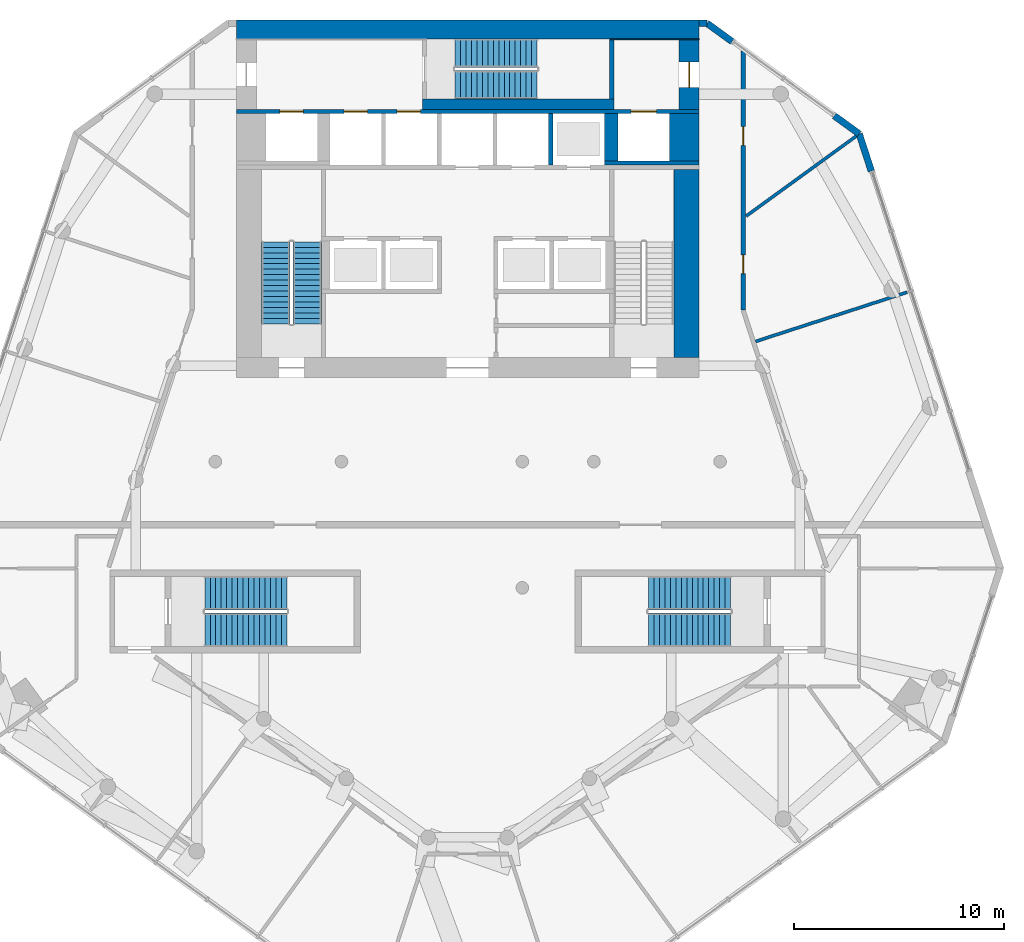
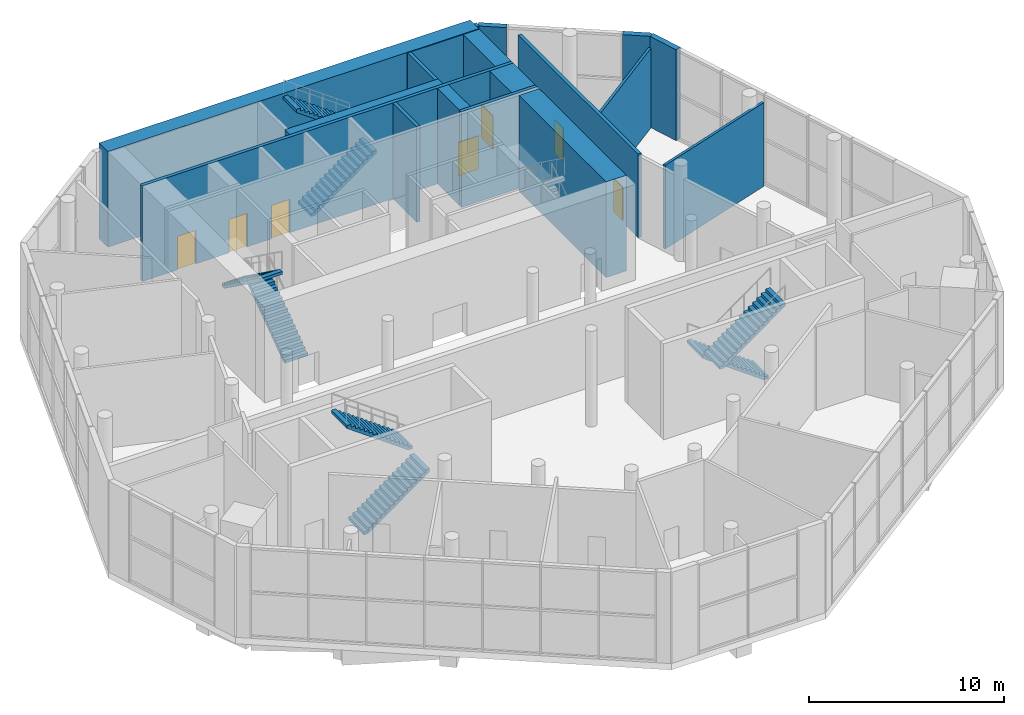
# One storey, part 10 of 14: 18 walls, 8 stair flights, 7 doors, 7 openings, 4 elements without a shape of their own.
"""IFC4 building model written with IfcOpenShell, lengths in metres."""

from ifc_helpers import new_model, si_unit, direction, frame, frame_2d, origin, place, context, subcontext, project, spatial, polyline, rectangle, outline, extrude, material, layer, layer_set, type_object, element, fill, aggregate, save


model = new_model("IFC4")

# Units and contexts
model_context = context("Model", 3, precision=1e-05, world=origin(), true_north=direction((0.0, 1.0)))
body_context = subcontext(model_context, "Body", "Model", "MODEL_VIEW")
ifc_project = project(units=[si_unit("LENGTHUNIT", "METRE"), si_unit("AREAUNIT", "SQUARE_METRE"), si_unit("VOLUMEUNIT", "CUBIC_METRE"), si_unit("PLANEANGLEUNIT", "RADIAN"), si_unit("MASSUNIT", "GRAM", prefix="KILO")], contexts=[model_context])

# Site, building, storey
site_placement = place(None, origin())
site = spatial("IfcSite", under=ifc_project, at=site_placement, CompositionType="ELEMENT")
building_placement = place(site_placement, origin())
building = spatial("IfcBuilding", under=site, at=building_placement, Name="White Candle Pilgrim Tower", CompositionType="ELEMENT")
storey_placement = place(building_placement, frame((0.0, 0.0, 142.60009765625)))
storey = spatial("IfcBuildingStorey", under=building, at=storey_placement, Name="L32", CompositionType="ELEMENT", Elevation=142.60009765625)

# Walls
ifc_material_1 = material(Name="Concrete C60/75", Category="concrete")
ifc_layer_1 = layer(ifc_material_1, 1.39990234375)
ifc_layer_set_1 = layer_set([ifc_layer_1], Name="Core wall 1400 mm Concrete C60/75")
wall_type_1 = type_object("IfcWallType", Name="Core wall 1400 mm Concrete C60/75", PredefinedType="SHEAR", material=ifc_layer_set_1)
wall_1_placement = place(storey_placement, frame((80.300048828125, 81.300048828125, 0.0), z_axis=(0.0, 0.0, 1.0), x_axis=(0.0, 1.0, 0.0)))
element("IfcWall", 1, at=wall_1_placement, inside=storey, type_object=wall_type_1, Name="WL-L32-C42", PredefinedType="SHEAR", context=body_context, shape_type="SweptSolid", body=[
    extrude(rectangle(XDim=2.25, YDim=1.39990234375, at=frame_2d((1.125, 0.0))), origin(), (0.0, 0.0, 1.0), 6.0),
])
ifc_layer_2 = layer(ifc_material_1, 0.199951171875)
ifc_layer_set_2 = layer_set([ifc_layer_2], Name="Core wall 200 mm Concrete C60/75")
wall_type_2 = type_object("IfcWallType", Name="Core wall 200 mm Concrete C60/75", PredefinedType="SHEAR", material=ifc_layer_set_2)
wall_2_placement = place(storey_placement, frame((76.5, 81.199951171875, 0.0), z_axis=(0.0, 0.0, 1.0), x_axis=(1.0, 0.0, 0.0)))
element("IfcWall", 2, at=wall_2_placement, inside=storey, type_object=wall_type_2, Name="WL-L32-C38", PredefinedType="SHEAR", context=body_context, shape_type="SweptSolid", body=[
    extrude(rectangle(XDim=4.5, YDim=0.199951171875, at=frame_2d((2.25, 0.0))), origin(), (0.0, 0.0, 1.0), 6.0),
])

# Wall, openings, doors
wall_3_placement = place(storey_placement, frame((59.0, 83.64990234375, 0.0), z_axis=(0.0, 0.0, 1.0), x_axis=(1.0, 0.0, 0.0)))
wall_3 = element("IfcWall", 3, at=wall_3_placement, inside=storey, type_object=wall_type_2, Name="WL-L32-C43", PredefinedType="SHEAR", context=body_context, shape_type="SweptSolid", body=[
    extrude(rectangle(XDim=22.0, YDim=0.199951171875, at=frame_2d((11.0, 0.0))), origin(), (0.0, 0.0, 1.0), 6.0),
])
opening_1_placement = place(wall_3_placement, frame((5.125, 0.0, 0.0)))
opening_1 = element("IfcOpeningElement", 4, at=opening_1_placement, cuts=wall_3, Name="Opening L32-017", PredefinedType="OPENING", context=body_context, shape_type="SweptSolid", body=[
    extrude(rectangle(XDim=1.10009765625, YDim=2.10009765625, at=frame_2d((0.550048828125, 1.050048828125))), frame((0.0, 0.10986328125, 0.0), z_axis=(0.0, -1.0, 0.0), x_axis=(1.0, 0.0, 0.0)), (0.0, 0.0, 1.0), 0.219970703125),
])
opening_2_placement = place(wall_3_placement, frame((7.64990234375, 0.0, 0.0)))
opening_2 = element("IfcOpeningElement", 5, at=opening_2_placement, cuts=wall_3, Name="Opening L32-018", PredefinedType="OPENING", context=body_context, shape_type="SweptSolid", body=[
    extrude(rectangle(XDim=1.10009765625, YDim=2.10009765625, at=frame_2d((0.550048828125, 1.050048828125))), frame((0.0, 0.10986328125, 0.0), z_axis=(0.0, -1.0, 0.0), x_axis=(1.0, 0.0, 0.0)), (0.0, 0.0, 1.0), 0.219970703125),
])
opening_3_placement = place(wall_3_placement, frame((18.77490234375, 0.0, 0.0)))
opening_3 = element("IfcOpeningElement", 6, at=opening_3_placement, cuts=wall_3, Name="Opening L32-022", PredefinedType="OPENING", context=body_context, shape_type="SweptSolid", body=[
    extrude(rectangle(XDim=1.199951171875, YDim=2.10009765625, at=frame_2d((0.60009765625, 1.050048828125))), frame((0.0, 0.10986328125, 0.0), z_axis=(0.0, -1.0, 0.0), x_axis=(1.0, 0.0, 0.0)), (0.0, 0.0, 1.0), 0.219970703125),
])
opening_4_placement = place(wall_3_placement, frame((2.074951171875, 0.0, 0.0)))
opening_4 = element("IfcOpeningElement", 7, at=opening_4_placement, cuts=wall_3, Name="Opening L32-023", PredefinedType="OPENING", context=body_context, shape_type="SweptSolid", body=[
    extrude(rectangle(XDim=1.10009765625, YDim=2.10009765625, at=frame_2d((0.550048828125, 1.050048828125))), frame((0.0, 0.10986328125, 0.0), z_axis=(0.0, -1.0, 0.0), x_axis=(1.0, 0.0, 0.0)), (0.0, 0.0, 1.0), 0.219970703125),
])
ifc_material_2 = material(Name="Stainless steel", Category="steel")
door_type_1 = type_object("IfcDoorType", Name="Lift landing door 1100 x 2100 EI 60", OperationType="DOUBLE_DOOR_SLIDING", PredefinedType="DOOR", material=ifc_material_2)
door_1_placement = place(opening_1_placement, origin())
door_1 = element("IfcDoor", 8, at=door_1_placement, inside=storey, type_object=door_type_1, Name="Door L32-017", OperationType="DOUBLE_DOOR_SLIDING", OverallHeight=2.10009765625, OverallWidth=1.10009765625, PredefinedType="DOOR", context=body_context, shape_type="SweptSolid", body=[
    extrude(rectangle(XDim=1.10009765625, YDim=2.10009765625, at=frame_2d((0.550048828125, 1.050048828125))), frame((0.0, 0.02490234375, 0.0), z_axis=(0.0, -1.0, 0.0), x_axis=(1.0, 0.0, 0.0)), (0.0, 0.0, 1.0), 0.050048828125),
])
fill(opening_1, door_1)
door_2_placement = place(opening_2_placement, origin())
door_2 = element("IfcDoor", 9, at=door_2_placement, inside=storey, type_object=door_type_1, Name="Door L32-018", OperationType="DOUBLE_DOOR_SLIDING", OverallHeight=2.10009765625, OverallWidth=1.10009765625, PredefinedType="DOOR", context=body_context, shape_type="SweptSolid", body=[
    extrude(rectangle(XDim=1.10009765625, YDim=2.10009765625, at=frame_2d((0.550048828125, 1.050048828125))), frame((0.0, 0.02490234375, 0.0), z_axis=(0.0, -1.0, 0.0), x_axis=(1.0, 0.0, 0.0)), (0.0, 0.0, 1.0), 0.050048828125),
])
fill(opening_2, door_2)
door_3_placement = place(opening_4_placement, origin())
door_3 = element("IfcDoor", 10, at=door_3_placement, inside=storey, type_object=door_type_1, Name="Door L32-023", OperationType="DOUBLE_DOOR_SLIDING", OverallHeight=2.10009765625, OverallWidth=1.10009765625, PredefinedType="DOOR", context=body_context, shape_type="SweptSolid", body=[
    extrude(rectangle(XDim=1.10009765625, YDim=2.10009765625, at=frame_2d((0.550048828125, 1.050048828125))), frame((0.0, 0.02490234375, 0.0), z_axis=(0.0, -1.0, 0.0), x_axis=(1.0, 0.0, 0.0)), (0.0, 0.0, 1.0), 0.050048828125),
])
fill(opening_4, door_3)
door_type_2 = type_object("IfcDoorType", Name="Lift landing door 1200 x 2100 E 60", OperationType="DOUBLE_DOOR_SLIDING", PredefinedType="DOOR", material=ifc_material_2)
door_4_placement = place(opening_3_placement, origin())
door_4 = element("IfcDoor", 11, at=door_4_placement, inside=storey, type_object=door_type_2, Name="Door L32-022", OperationType="DOUBLE_DOOR_SLIDING", OverallHeight=2.10009765625, OverallWidth=1.199951171875, PredefinedType="DOOR", context=body_context, shape_type="SweptSolid", body=[
    extrude(rectangle(XDim=1.199951171875, YDim=2.10009765625, at=frame_2d((0.60009765625, 1.050048828125))), frame((0.0, 0.02490234375, 0.0), z_axis=(0.0, -1.0, 0.0), x_axis=(1.0, 0.0, 0.0)), (0.0, 0.0, 1.0), 0.050048828125),
])
fill(opening_3, door_4)

# Wall, opening, door
ifc_layer_3 = layer(ifc_material_1, 0.949951171875)
ifc_layer_set_3 = layer_set([ifc_layer_3], Name="Core wall 950 mm Concrete C60/75")
wall_type_3 = type_object("IfcWallType", Name="Core wall 950 mm Concrete C60/75", PredefinedType="SHEAR", material=ifc_layer_set_3)
wall_4_placement = place(storey_placement, frame((80.52490234375, 83.75, 0.0), z_axis=(0.0, 0.0, 1.0), x_axis=(0.0, 1.0, 0.0)))
wall_4 = element("IfcWall", 12, at=wall_4_placement, inside=storey, type_object=wall_type_3, Name="WL-L32-C46", PredefinedType="SHEAR", context=body_context, shape_type="SweptSolid", body=[
    extrude(rectangle(XDim=3.300048828125, YDim=0.949951171875, at=frame_2d((1.64990234375, 0.0))), origin(), (0.0, 0.0, 1.0), 6.0),
])
opening_5_placement = place(wall_4_placement, frame((1.050048828125, 0.0, 0.0)))
opening_5 = element("IfcOpeningElement", 13, at=opening_5_placement, cuts=wall_4, Name="Opening L32-008", PredefinedType="OPENING", context=body_context, shape_type="SweptSolid", body=[
    extrude(rectangle(XDim=1.199951171875, YDim=2.10009765625, at=frame_2d((0.60009765625, 1.050048828125))), frame((0.0, 0.48486328125, 0.0), z_axis=(0.0, -1.0, 0.0), x_axis=(1.0, 0.0, 0.0)), (0.0, 0.0, 1.0), 0.969970703125),
])
ifc_material_3 = material(Name="Steel door leaf", Category="steel")
door_type_3 = type_object("IfcDoorType", Name="Fire door 1200 x 2100 EI 30", OperationType="NOTDEFINED", PredefinedType="DOOR", material=ifc_material_3)
door_5_placement = place(opening_5_placement, origin())
door_5 = element("IfcDoor", 14, at=door_5_placement, inside=storey, type_object=door_type_3, Name="Door L32-008", OperationType="SINGLE_SWING_RIGHT", OverallHeight=2.10009765625, OverallWidth=1.199951171875, PredefinedType="DOOR", context=body_context, shape_type="SweptSolid", body=[
    extrude(rectangle(XDim=1.199951171875, YDim=2.10009765625, at=frame_2d((0.60009765625, 1.050048828125))), frame((0.0, 0.02490234375, 0.0), z_axis=(0.0, -1.0, 0.0), x_axis=(1.0, 0.0, 0.0)), (0.0, 0.0, 1.0), 0.050048828125),
])
fill(opening_5, door_5)

# Wall, openings, doors
ifc_material_4 = material(Name="Gypsum board on steel studs", Category="steel")
ifc_layer_4 = layer(ifc_material_4, 0.199951171875)
ifc_layer_set_4 = layer_set([ifc_layer_4], Name="Corridor wall 200 mm EI 45")
wall_type_4 = type_object("IfcWallType", Name="Corridor wall 200 mm EI 45", PredefinedType="PARTITIONING", material=ifc_layer_set_4)
wall_5_placement = place(storey_placement, frame((83.10009765625, 86.537109375, 0.0), z_axis=(0.0, 0.0, 1.0), x_axis=(0.0, -1.0, 0.0)))
wall_5 = element("IfcWall", 15, at=wall_5_placement, inside=storey, type_object=wall_type_4, Name="WL-L32-P003", PredefinedType="PARTITIONING", context=body_context, shape_type="SweptSolid", body=[
    extrude(rectangle(XDim=12.319091796875, YDim=0.199951171875, at=frame_2d((6.15966796875, 0.0))), origin(), (0.0, 0.0, 1.0), 5.25),
])
opening_6_placement = place(wall_5_placement, frame((9.69970703125, 0.0, 0.0)))
opening_6 = element("IfcOpeningElement", 16, at=opening_6_placement, cuts=wall_5, Name="Opening L32-112", PredefinedType="OPENING", context=body_context, shape_type="SweptSolid", body=[
    extrude(rectangle(XDim=0.89990234375, YDim=2.10009765625, at=frame_2d((0.449951171875, 1.050048828125))), frame((0.0, 0.10986328125, 0.0), z_axis=(0.0, -1.0, 0.0), x_axis=(1.0, 0.0, 0.0)), (0.0, 0.0, 1.0), 0.219970703125),
])
opening_7_placement = place(wall_5_placement, frame((3.602783203125, 0.0, 0.0)))
opening_7 = element("IfcOpeningElement", 17, at=opening_7_placement, cuts=wall_5, Name="Opening L32-113", PredefinedType="OPENING", context=body_context, shape_type="SweptSolid", body=[
    extrude(rectangle(XDim=0.89990234375, YDim=2.10009765625, at=frame_2d((0.449951171875, 1.050048828125))), frame((0.0, 0.10986328125, 0.0), z_axis=(0.0, -1.0, 0.0), x_axis=(1.0, 0.0, 0.0)), (0.0, 0.0, 1.0), 0.219970703125),
])
door_type_4 = type_object("IfcDoorType", Name="Fire door 900 x 2100 EI 30", OperationType="NOTDEFINED", PredefinedType="DOOR", material=ifc_material_3)
door_6_placement = place(opening_6_placement, origin())
door_6 = element("IfcDoor", 18, at=door_6_placement, inside=storey, type_object=door_type_4, Name="Door L32-112", OperationType="SINGLE_SWING_RIGHT", OverallHeight=2.10009765625, OverallWidth=0.89990234375, PredefinedType="DOOR", context=body_context, shape_type="SweptSolid", body=[
    extrude(rectangle(XDim=0.89990234375, YDim=2.10009765625, at=frame_2d((0.449951171875, 1.050048828125))), frame((0.0, 0.02490234375, 0.0), z_axis=(0.0, -1.0, 0.0), x_axis=(1.0, 0.0, 0.0)), (0.0, 0.0, 1.0), 0.050048828125),
])
fill(opening_6, door_6)
door_7_placement = place(opening_7_placement, origin())
door_7 = element("IfcDoor", 19, at=door_7_placement, inside=storey, type_object=door_type_4, Name="Door L32-113", OperationType="SINGLE_SWING_LEFT", OverallHeight=2.10009765625, OverallWidth=0.89990234375, PredefinedType="DOOR", context=body_context, shape_type="SweptSolid", body=[
    extrude(rectangle(XDim=0.89990234375, YDim=2.10009765625, at=frame_2d((0.449951171875, 1.050048828125))), frame((0.0, 0.02490234375, 0.0), z_axis=(0.0, -1.0, 0.0), x_axis=(1.0, 0.0, 0.0)), (0.0, 0.0, 1.0), 0.050048828125),
])
fill(opening_7, door_7)

# Walls
ifc_material_5 = material(Name="Precast concrete C40/50", Category="concrete")
ifc_layer_5 = layer(ifc_material_5, 0.320068359375)
ifc_layer_set_5 = layer_set([ifc_layer_5], Name="Facade wall EW1 precast concrete C40/50 pier wall with timber-lined reveals")
wall_type_5 = type_object("IfcWallType", Name="Facade wall EW1 precast concrete C40/50 pier wall with timber-lined reveals", PredefinedType="SOLIDWALL", material=ifc_layer_set_5)
wall_6_placement = place(storey_placement, frame((89.19580078125, 80.812255859375, 0.0), z_axis=(0.0, 0.0, 1.0), x_axis=(-0.309020851273, 0.951055263104, 0.0)))
element("IfcWall", 20, at=wall_6_placement, inside=storey, type_object=wall_type_5, Name="Facade wall L32 ENE", PredefinedType="SOLIDWALL", context=body_context, shape_type="SweptSolid", body=[
    extrude(rectangle(XDim=1.862060546875, YDim=0.320068359375, at=frame_2d((0.93115234375, 0.0))), origin(), (0.0, 0.0, 1.0), 5.699951171875),
])
for number, where, z_axis, x_axis, name in (
    (21, (88.620361328125, 82.583251953125, 0.0), (0.0, 0.0, 1.0), (-0.809044438397, 0.587747476982, 0.0), "Facade wall L32 NE chamfer"),
    (22, (82.57568359375, 86.97509765625, 0.0), (0.0, 0.0, 1.0), (-0.809044438397, 0.587747476982, 0.0), "Facade wall L32 NE chamfer"),
):
    element("IfcWall", number, at=place(storey_placement, frame(where, z_axis=z_axis, x_axis=x_axis)), inside=storey, type_object=wall_type_5, Name=name, PredefinedType="SOLIDWALL", context=body_context, shape_type="SweptSolid", body=[
        extrude(rectangle(XDim=1.4716796875, YDim=0.320068359375, at=frame_2d((0.73583984375, 0.0))), origin(), (0.0, 0.0, 1.0), 5.699951171875),
    ])
wall_7_placement = place(storey_placement, frame((81.385009765625, 87.840087890625, 0.0), z_axis=(0.0, 0.0, 1.0), x_axis=(-1.0, 0.0, 0.0)))
element("IfcWall", 23, at=wall_7_placement, inside=storey, type_object=wall_type_5, Name="Facade wall L32 N", PredefinedType="SOLIDWALL", context=body_context, shape_type="SweptSolid", body=[
    extrude(rectangle(XDim=0.385009765625, YDim=0.320068359375, at=frame_2d((0.1923828125, 0.0))), origin(), (0.0, 0.0, 1.0), 5.699951171875),
])
ifc_layer_6 = layer(ifc_material_4, 0.14990234375)
ifc_layer_set_6 = layer_set([ifc_layer_6], Name="Partition 150 mm EI 60")
wall_type_6 = type_object("IfcWallType", Name="Partition 150 mm EI 60", PredefinedType="PARTITIONING", material=ifc_layer_set_6)
wall_8_placement = place(storey_placement, frame((88.484130859375, 82.484375, 0.0), z_axis=(0.0, 0.0, 1.0), x_axis=(-0.80901309186, -0.587790623606, 0.0)))
element("IfcWall", 24, at=wall_8_placement, inside=storey, type_object=wall_type_6, Name="WL-L32-P018", PredefinedType="PARTITIONING", context=body_context, shape_type="SweptSolid", body=[
    extrude(rectangle(XDim=6.47705078125, YDim=0.14990234375, at=frame_2d((3.238525390625, 0.0))), origin(), (0.0, 0.0, 1.0), 5.0),
])
wall_9_placement = place(storey_placement, frame((90.897705078125, 75.056396484375, 0.0), z_axis=(0.0, 0.0, 1.0), x_axis=(-0.951058681979, -0.309010329007, 0.0)))
element("IfcWall", 25, at=wall_9_placement, inside=storey, type_object=wall_type_6, Name="WL-L32-P025", PredefinedType="PARTITIONING", context=body_context, shape_type="SweptSolid", body=[
    extrude(rectangle(XDim=7.580078125, YDim=0.14990234375, at=frame_2d((3.7900390625, 0.0))), origin(), (0.0, 0.0, 1.0), 5.25),
])
ifc_layer_7 = layer(ifc_material_1, 0.199951171875)
ifc_layer_set_7 = layer_set([ifc_layer_7], Name="Shaft wall 200 mm Concrete C60/75")
wall_type_7 = type_object("IfcWallType", Name="Shaft wall 200 mm Concrete C60/75", PredefinedType="SHEAR", material=ifc_layer_set_7)
wall_10_placement = place(storey_placement, frame((73.949951171875, 81.10009765625, 0.0), z_axis=(0.0, 0.0, 1.0), x_axis=(0.0, 1.0, 0.0)))
element("IfcWall", 26, at=wall_10_placement, inside=storey, type_object=wall_type_7, Name="WL-L32-C37", PredefinedType="SHEAR", context=body_context, shape_type="SweptSolid", body=[
    extrude(rectangle(XDim=2.449951171875, YDim=0.199951171875, at=frame_2d((1.22509765625, 0.0))), origin(), (0.0, 0.0, 1.0), 6.0),
])
ifc_layer_8 = layer(ifc_material_1, 0.64990234375)
ifc_layer_set_8 = layer_set([ifc_layer_8], Name="Shaft wall 650 mm Concrete C60/75")
wall_type_8 = type_object("IfcWallType", Name="Shaft wall 650 mm Concrete C60/75", PredefinedType="SHEAR", material=ifc_layer_set_8)
wall_11_placement = place(storey_placement, frame((76.824951171875, 81.300048828125, 0.0), z_axis=(0.0, 0.0, 1.0), x_axis=(0.0, 1.0, 0.0)))
element("IfcWall", 27, at=wall_11_placement, inside=storey, type_object=wall_type_8, Name="WL-L32-C41", PredefinedType="SHEAR", context=body_context, shape_type="SweptSolid", body=[
    extrude(rectangle(XDim=2.25, YDim=0.64990234375, at=frame_2d((1.125, 0.0))), origin(), (0.0, 0.0, 1.0), 6.0),
])
ifc_layer_9 = layer(ifc_material_1, 1.199951171875)
ifc_layer_set_9 = layer_set([ifc_layer_9], Name="Stair shaft wall 1200 mm Concrete C60/75")
wall_type_9 = type_object("IfcWallType", Name="Stair shaft wall 1200 mm Concrete C60/75", PredefinedType="SHEAR", material=ifc_layer_set_9)
wall_12_placement = place(storey_placement, frame((80.39990234375, 71.949951171875, 0.0), z_axis=(0.0, 0.0, 1.0), x_axis=(0.0, 1.0, 0.0)))
element("IfcWall", 28, at=wall_12_placement, inside=storey, type_object=wall_type_9, Name="WL-L32-C16", PredefinedType="SHEAR", context=body_context, shape_type="SweptSolid", body=[
    extrude(rectangle(XDim=8.949951171875, YDim=1.199951171875, at=frame_2d((4.47509765625, 0.0))), origin(), (0.0, 0.0, 1.0), 6.0),
])
ifc_layer_10 = layer(ifc_material_1, 0.199951171875)
ifc_layer_set_10 = layer_set([ifc_layer_10], Name="Stair shaft wall 200 mm Concrete C60/75")
wall_type_10 = type_object("IfcWallType", Name="Stair shaft wall 200 mm Concrete C60/75", PredefinedType="SHEAR", material=ifc_layer_set_10)
wall_13_placement = place(storey_placement, frame((76.85009765625, 84.25, 0.0), z_axis=(0.0, 0.0, 1.0), x_axis=(0.0, 1.0, 0.0)))
element("IfcWall", 29, at=wall_13_placement, inside=storey, type_object=wall_type_10, Name="WL-L32-C48", PredefinedType="SHEAR", context=body_context, shape_type="SweptSolid", body=[
    extrude(rectangle(XDim=2.800048828125, YDim=0.199951171875, at=frame_2d((1.39990234375, 0.0))), origin(), (0.0, 0.0, 1.0), 6.0),
])
ifc_layer_11 = layer(ifc_material_1, 0.050048828125)
ifc_layer_set_11 = layer_set([ifc_layer_11], Name="Stair shaft wall 50 mm Concrete C60/75")
wall_type_11 = type_object("IfcWallType", Name="Stair shaft wall 50 mm Concrete C60/75", PredefinedType="SHEAR", material=ifc_layer_set_11)
wall_14_placement = place(storey_placement, frame((76.75, 87.074951171875, 0.0), z_axis=(0.0, 0.0, 1.0), x_axis=(1.0, 0.0, 0.0)))
element("IfcWall", 30, at=wall_14_placement, inside=storey, type_object=wall_type_11, Name="WL-L32-C50", PredefinedType="SHEAR", context=body_context, shape_type="SweptSolid", body=[
    extrude(rectangle(XDim=4.25, YDim=0.050048828125, at=frame_2d((2.125, 0.0))), origin(), (0.0, 0.0, 1.0), 6.0),
])
ifc_layer_12 = layer(ifc_material_1, 0.5)
ifc_layer_set_12 = layer_set([ifc_layer_12], Name="Stair shaft wall 500 mm Concrete C60/75")
wall_type_12 = type_object("IfcWallType", Name="Stair shaft wall 500 mm Concrete C60/75", PredefinedType="SHEAR", material=ifc_layer_set_12)
wall_15_placement = place(storey_placement, frame((67.85009765625, 84.0, 0.0), z_axis=(0.0, 0.0, 1.0), x_axis=(1.0, 0.0, 0.0)))
element("IfcWall", 31, at=wall_15_placement, inside=storey, type_object=wall_type_12, Name="WL-L32-C45", PredefinedType="SHEAR", context=body_context, shape_type="SweptSolid", body=[
    extrude(rectangle(XDim=9.099853515625, YDim=0.5, at=frame_2d((4.5498046875, 0.0))), origin(), (0.0, 0.0, 1.0), 6.0),
])
ifc_layer_13 = layer(ifc_material_1, 0.89990234375)
ifc_layer_set_13 = layer_set([ifc_layer_13], Name="Stair shaft wall 900 mm Concrete C60/75")
wall_type_13 = type_object("IfcWallType", Name="Stair shaft wall 900 mm Concrete C60/75", PredefinedType="SHEAR", material=ifc_layer_set_13)
wall_16_placement = place(storey_placement, frame((59.0, 87.550048828125, 0.0), z_axis=(0.0, 0.0, 1.0), x_axis=(1.0, 0.0, 0.0)))
element("IfcWall", 32, at=wall_16_placement, inside=storey, type_object=wall_type_13, Name="WL-L32-C51", PredefinedType="SHEAR", context=body_context, shape_type="SweptSolid", body=[
    extrude(rectangle(XDim=22.0, YDim=0.89990234375, at=frame_2d((11.0, 0.0))), origin(), (0.0, 0.0, 1.0), 6.0),
])

# Stair, stair flights
ifc_material_6 = material(Name="Concrete C40/50", Category="concrete")
stair_type_1 = type_object("IfcStairType", Name="Exit stair 1 flight width 1350 mm", PredefinedType="HALF_TURN_STAIR", material=ifc_material_6)
stair_1_placement = place(storey_placement, origin())
stair_1 = element("IfcStair", 33, at=stair_1_placement, inside=storey, type_object=stair_type_1, Name="L32 stair 1", PredefinedType="NOTDEFINED")
ifc_layer_14 = layer(ifc_material_6, 0.14990234375)
ifc_layer_set_14 = layer_set([ifc_layer_14], Name="Stair flight Concrete C40/50")
stair_flight_type = type_object("IfcStairFlightType", Name="Stair flight Concrete C40/50", PredefinedType="STRAIGHT", material=ifc_layer_set_14)
stair_flight_1_placement = place(storey_placement, frame((62.375, 73.550048828125, 0.0), z_axis=(0.0, 0.0, 1.0), x_axis=(0.0, 1.0, 0.0)))
stair_flight_1 = element("IfcStairFlight", 34, at=stair_flight_1_placement, type_object=stair_flight_type, Name="ST1 flight 1", NumberOfRisers=16, NumberOfTreads=15, PredefinedType="NOTDEFINED", RiserHeight=0.1875, TreadLength=0.26, context=body_context, shape_type="SweptSolid", body=[
    extrude(outline(polyline([(0.0, 0.0), (0.0, 0.1875), (0.260009765625, 0.1875), (0.260009765625, 0.375), (0.52001953125, 0.375), (0.52001953125, 0.5625), (0.780029296875, 0.5625), (0.780029296875, 0.75), (1.0400390625, 0.75), (1.0400390625, 0.9375), (1.300048828125, 0.9375), (1.300048828125, 1.125), (1.56005859375, 1.125), (1.56005859375, 1.3125), (1.820068359375, 1.3125), (1.820068359375, 1.5), (2.080078125, 1.5), (2.080078125, 1.6875), (2.340087890625, 1.6875), (2.340087890625, 1.875), (2.60009765625, 1.875), (2.60009765625, 2.0625), (2.860107421875, 2.0625), (2.860107421875, 2.25), (3.1201171875, 2.25), (3.1201171875, 2.4375), (3.3798828125, 2.4375), (3.3798828125, 2.625), (3.639892578125, 2.625), (3.639892578125, 2.8125), (3.89990234375, 2.8125), (3.89990234375, 3.0), (3.89990234375, 2.627685546875), (0.25634765625, 0.0), (0.0, 0.0)])), frame((0.0, 0.675048828125, 0.0), z_axis=(0.0, -1.0, 0.0), x_axis=(1.0, 0.0, 0.0)), (0.0, 0.0, 1.0), 1.35009765625),
])
stair_flight_2_placement = place(storey_placement, frame((60.875, 77.449951171875, 3.0), z_axis=(0.0, 0.0, 1.0), x_axis=(0.0, -1.0, 0.0)))
stair_flight_2 = element("IfcStairFlight", 35, at=stair_flight_2_placement, type_object=stair_flight_type, Name="ST1 flight 2", NumberOfRisers=16, NumberOfTreads=15, PredefinedType="NOTDEFINED", RiserHeight=0.1875, TreadLength=0.26, context=body_context, shape_type="SweptSolid", body=[
    extrude(outline(polyline([(0.0, 0.0), (0.0, 0.1875), (0.260009765625, 0.1875), (0.260009765625, 0.375), (0.52001953125, 0.375), (0.52001953125, 0.5625), (0.780029296875, 0.5625), (0.780029296875, 0.75), (1.0400390625, 0.75), (1.0400390625, 0.9375), (1.300048828125, 0.9375), (1.300048828125, 1.125), (1.56005859375, 1.125), (1.56005859375, 1.3125), (1.820068359375, 1.3125), (1.820068359375, 1.5), (2.080078125, 1.5), (2.080078125, 1.6875), (2.340087890625, 1.6875), (2.340087890625, 1.875), (2.60009765625, 1.875), (2.60009765625, 2.0625), (2.860107421875, 2.0625), (2.860107421875, 2.25), (3.1201171875, 2.25), (3.1201171875, 2.4375), (3.3798828125, 2.4375), (3.3798828125, 2.625), (3.639892578125, 2.625), (3.639892578125, 2.8125), (3.89990234375, 2.8125), (3.89990234375, 3.0), (3.89990234375, 2.627685546875), (0.25634765625, 0.0), (0.0, 0.0)])), frame((0.0, 0.675048828125, 0.0), z_axis=(0.0, -1.0, 0.0), x_axis=(1.0, 0.0, 0.0)), (0.0, 0.0, 1.0), 1.35009765625),
])
aggregate(stair_1, [stair_flight_1, stair_flight_2])

stair_type_2 = type_object("IfcStairType", Name="Exit stair 3 flight width 1350 mm", PredefinedType="HALF_TURN_STAIR", material=ifc_material_6)
stair_2_placement = place(storey_placement, origin())
stair_2 = element("IfcStair", 36, at=stair_2_placement, inside=storey, type_object=stair_type_2, Name="L32 stair 3", PredefinedType="NOTDEFINED")
stair_flight_3_placement = place(storey_placement, frame((69.39990234375, 84.925048828125, 0.0), z_axis=(0.0, 0.0, 1.0), x_axis=(1.0, 0.0, 0.0)))
stair_flight_3 = element("IfcStairFlight", 37, at=stair_flight_3_placement, type_object=stair_flight_type, Name="ST3 flight 1", NumberOfRisers=16, NumberOfTreads=15, PredefinedType="NOTDEFINED", RiserHeight=0.1875, TreadLength=0.26, context=body_context, shape_type="SweptSolid", body=[
    extrude(outline(polyline([(0.0, 0.0), (0.0, 0.1875), (0.260009765625, 0.1875), (0.260009765625, 0.375), (0.52001953125, 0.375), (0.52001953125, 0.5625), (0.780029296875, 0.5625), (0.780029296875, 0.75), (1.0400390625, 0.75), (1.0400390625, 0.9375), (1.300048828125, 0.9375), (1.300048828125, 1.125), (1.56005859375, 1.125), (1.56005859375, 1.3125), (1.820068359375, 1.3125), (1.820068359375, 1.5), (2.080078125, 1.5), (2.080078125, 1.6875), (2.340087890625, 1.6875), (2.340087890625, 1.875), (2.60009765625, 1.875), (2.60009765625, 2.0625), (2.860107421875, 2.0625), (2.860107421875, 2.25), (3.1201171875, 2.25), (3.1201171875, 2.4375), (3.3798828125, 2.4375), (3.3798828125, 2.625), (3.639892578125, 2.625), (3.639892578125, 2.8125), (3.89990234375, 2.8125), (3.89990234375, 3.0), (3.89990234375, 2.627685546875), (0.25634765625, 0.0), (0.0, 0.0)])), frame((0.0, 0.675048828125, 0.0), z_axis=(0.0, -1.0, 0.0), x_axis=(1.0, 0.0, 0.0)), (0.0, 0.0, 1.0), 1.35009765625),
])
stair_flight_4_placement = place(storey_placement, frame((73.300048828125, 86.425048828125, 3.0), z_axis=(0.0, 0.0, 1.0), x_axis=(-1.0, 0.0, 0.0)))
stair_flight_4 = element("IfcStairFlight", 38, at=stair_flight_4_placement, type_object=stair_flight_type, Name="ST3 flight 2", NumberOfRisers=16, NumberOfTreads=15, PredefinedType="NOTDEFINED", RiserHeight=0.1875, TreadLength=0.26, context=body_context, shape_type="SweptSolid", body=[
    extrude(outline(polyline([(0.0, 0.0), (0.0, 0.1875), (0.260009765625, 0.1875), (0.260009765625, 0.375), (0.52001953125, 0.375), (0.52001953125, 0.5625), (0.780029296875, 0.5625), (0.780029296875, 0.75), (1.0400390625, 0.75), (1.0400390625, 0.9375), (1.300048828125, 0.9375), (1.300048828125, 1.125), (1.56005859375, 1.125), (1.56005859375, 1.3125), (1.820068359375, 1.3125), (1.820068359375, 1.5), (2.080078125, 1.5), (2.080078125, 1.6875), (2.340087890625, 1.6875), (2.340087890625, 1.875), (2.60009765625, 1.875), (2.60009765625, 2.0625), (2.860107421875, 2.0625), (2.860107421875, 2.25), (3.1201171875, 2.25), (3.1201171875, 2.4375), (3.3798828125, 2.4375), (3.3798828125, 2.625), (3.639892578125, 2.625), (3.639892578125, 2.8125), (3.89990234375, 2.8125), (3.89990234375, 3.0), (3.89990234375, 2.627685546875), (0.25634765625, 0.0), (0.0, 0.0)])), frame((0.0, 0.675048828125, 0.0), z_axis=(0.0, -1.0, 0.0), x_axis=(1.0, 0.0, 0.0)), (0.0, 0.0, 1.0), 1.35009765625),
])
aggregate(stair_2, [stair_flight_3, stair_flight_4])

stair_type_3 = type_object("IfcStairType", Name="Exit stair 4 flight width 1600 mm", PredefinedType="HALF_TURN_STAIR", material=ifc_material_6)
stair_3_placement = place(storey_placement, origin())
stair_3 = element("IfcStair", 39, at=stair_3_placement, inside=storey, type_object=stair_type_3, Name="L32 stair 4", PredefinedType="NOTDEFINED")
stair_flight_5_placement = place(storey_placement, frame((82.5, 60.75, 0.0), z_axis=(0.0, 0.0, 1.0), x_axis=(-1.0, 0.0, 0.0)))
stair_flight_5 = element("IfcStairFlight", 40, at=stair_flight_5_placement, type_object=stair_flight_type, Name="ST4 flight 1", NumberOfRisers=16, NumberOfTreads=15, PredefinedType="NOTDEFINED", RiserHeight=0.1875, TreadLength=0.26, context=body_context, shape_type="SweptSolid", body=[
    extrude(outline(polyline([(0.0, 0.0), (0.0, 0.1875), (0.260009765625, 0.1875), (0.260009765625, 0.375), (0.52001953125, 0.375), (0.52001953125, 0.5625), (0.780029296875, 0.5625), (0.780029296875, 0.75), (1.0400390625, 0.75), (1.0400390625, 0.9375), (1.300048828125, 0.9375), (1.300048828125, 1.125), (1.56005859375, 1.125), (1.56005859375, 1.3125), (1.820068359375, 1.3125), (1.820068359375, 1.5), (2.080078125, 1.5), (2.080078125, 1.6875), (2.340087890625, 1.6875), (2.340087890625, 1.875), (2.60009765625, 1.875), (2.60009765625, 2.0625), (2.860107421875, 2.0625), (2.860107421875, 2.25), (3.1201171875, 2.25), (3.1201171875, 2.4375), (3.3798828125, 2.4375), (3.3798828125, 2.625), (3.639892578125, 2.625), (3.639892578125, 2.8125), (3.89990234375, 2.8125), (3.89990234375, 3.0), (3.89990234375, 2.627685546875), (0.25634765625, 0.0), (0.0, 0.0)])), frame((0.0, 0.800048828125, 0.0), z_axis=(0.0, -1.0, 0.0), x_axis=(1.0, 0.0, 0.0)), (0.0, 0.0, 1.0), 1.60009765625),
])
stair_flight_6_placement = place(storey_placement, frame((78.60009765625, 59.0, 3.0), z_axis=(0.0, 0.0, 1.0), x_axis=(1.0, 0.0, 0.0)))
stair_flight_6 = element("IfcStairFlight", 41, at=stair_flight_6_placement, type_object=stair_flight_type, Name="ST4 flight 2", NumberOfRisers=16, NumberOfTreads=15, PredefinedType="NOTDEFINED", RiserHeight=0.1875, TreadLength=0.26, context=body_context, shape_type="SweptSolid", body=[
    extrude(outline(polyline([(0.0, 0.0), (0.0, 0.1875), (0.260009765625, 0.1875), (0.260009765625, 0.375), (0.52001953125, 0.375), (0.52001953125, 0.5625), (0.780029296875, 0.5625), (0.780029296875, 0.75), (1.0400390625, 0.75), (1.0400390625, 0.9375), (1.300048828125, 0.9375), (1.300048828125, 1.125), (1.56005859375, 1.125), (1.56005859375, 1.3125), (1.820068359375, 1.3125), (1.820068359375, 1.5), (2.080078125, 1.5), (2.080078125, 1.6875), (2.340087890625, 1.6875), (2.340087890625, 1.875), (2.60009765625, 1.875), (2.60009765625, 2.0625), (2.860107421875, 2.0625), (2.860107421875, 2.25), (3.1201171875, 2.25), (3.1201171875, 2.4375), (3.3798828125, 2.4375), (3.3798828125, 2.625), (3.639892578125, 2.625), (3.639892578125, 2.8125), (3.89990234375, 2.8125), (3.89990234375, 3.0), (3.89990234375, 2.627685546875), (0.25634765625, 0.0), (0.0, 0.0)])), frame((0.0, 0.800048828125, 0.0), z_axis=(0.0, -1.0, 0.0), x_axis=(1.0, 0.0, 0.0)), (0.0, 0.0, 1.0), 1.60009765625),
])
aggregate(stair_3, [stair_flight_5, stair_flight_6])

stair_type_4 = type_object("IfcStairType", Name="Exit stair 5 flight width 1600 mm", PredefinedType="HALF_TURN_STAIR", material=ifc_material_6)
stair_4_placement = place(storey_placement, origin())
stair_4 = element("IfcStair", 42, at=stair_4_placement, inside=storey, type_object=stair_type_4, Name="L32 stair 5", PredefinedType="NOTDEFINED")
stair_flight_7_placement = place(storey_placement, frame((57.5, 59.0, 0.0), z_axis=(0.0, 0.0, 1.0), x_axis=(1.0, 0.0, 0.0)))
stair_flight_7 = element("IfcStairFlight", 43, at=stair_flight_7_placement, type_object=stair_flight_type, Name="ST5 flight 1", NumberOfRisers=16, NumberOfTreads=15, PredefinedType="NOTDEFINED", RiserHeight=0.1875, TreadLength=0.26, context=body_context, shape_type="SweptSolid", body=[
    extrude(outline(polyline([(0.0, 0.0), (0.0, 0.1875), (0.260009765625, 0.1875), (0.260009765625, 0.375), (0.52001953125, 0.375), (0.52001953125, 0.5625), (0.780029296875, 0.5625), (0.780029296875, 0.75), (1.0400390625, 0.75), (1.0400390625, 0.9375), (1.300048828125, 0.9375), (1.300048828125, 1.125), (1.56005859375, 1.125), (1.56005859375, 1.3125), (1.820068359375, 1.3125), (1.820068359375, 1.5), (2.080078125, 1.5), (2.080078125, 1.6875), (2.340087890625, 1.6875), (2.340087890625, 1.875), (2.60009765625, 1.875), (2.60009765625, 2.0625), (2.860107421875, 2.0625), (2.860107421875, 2.25), (3.1201171875, 2.25), (3.1201171875, 2.4375), (3.3798828125, 2.4375), (3.3798828125, 2.625), (3.639892578125, 2.625), (3.639892578125, 2.8125), (3.89990234375, 2.8125), (3.89990234375, 3.0), (3.89990234375, 2.627685546875), (0.25634765625, 0.0), (0.0, 0.0)])), frame((0.0, 0.800048828125, 0.0), z_axis=(0.0, -1.0, 0.0), x_axis=(1.0, 0.0, 0.0)), (0.0, 0.0, 1.0), 1.60009765625),
])
stair_flight_8_placement = place(storey_placement, frame((61.39990234375, 60.75, 3.0), z_axis=(0.0, 0.0, 1.0), x_axis=(-1.0, 0.0, 0.0)))
stair_flight_8 = element("IfcStairFlight", 44, at=stair_flight_8_placement, type_object=stair_flight_type, Name="ST5 flight 2", NumberOfRisers=16, NumberOfTreads=15, PredefinedType="NOTDEFINED", RiserHeight=0.1875, TreadLength=0.26, context=body_context, shape_type="SweptSolid", body=[
    extrude(outline(polyline([(0.0, 0.0), (0.0, 0.1875), (0.260009765625, 0.1875), (0.260009765625, 0.375), (0.52001953125, 0.375), (0.52001953125, 0.5625), (0.780029296875, 0.5625), (0.780029296875, 0.75), (1.0400390625, 0.75), (1.0400390625, 0.9375), (1.300048828125, 0.9375), (1.300048828125, 1.125), (1.56005859375, 1.125), (1.56005859375, 1.3125), (1.820068359375, 1.3125), (1.820068359375, 1.5), (2.080078125, 1.5), (2.080078125, 1.6875), (2.340087890625, 1.6875), (2.340087890625, 1.875), (2.60009765625, 1.875), (2.60009765625, 2.0625), (2.860107421875, 2.0625), (2.860107421875, 2.25), (3.1201171875, 2.25), (3.1201171875, 2.4375), (3.3798828125, 2.4375), (3.3798828125, 2.625), (3.639892578125, 2.625), (3.639892578125, 2.8125), (3.89990234375, 2.8125), (3.89990234375, 3.0), (3.89990234375, 2.627685546875), (0.25634765625, 0.0), (0.0, 0.0)])), frame((0.0, 0.800048828125, 0.0), z_axis=(0.0, -1.0, 0.0), x_axis=(1.0, 0.0, 0.0)), (0.0, 0.0, 1.0), 1.60009765625),
])
aggregate(stair_4, [stair_flight_7, stair_flight_8])

save(model, "model.ifc")
